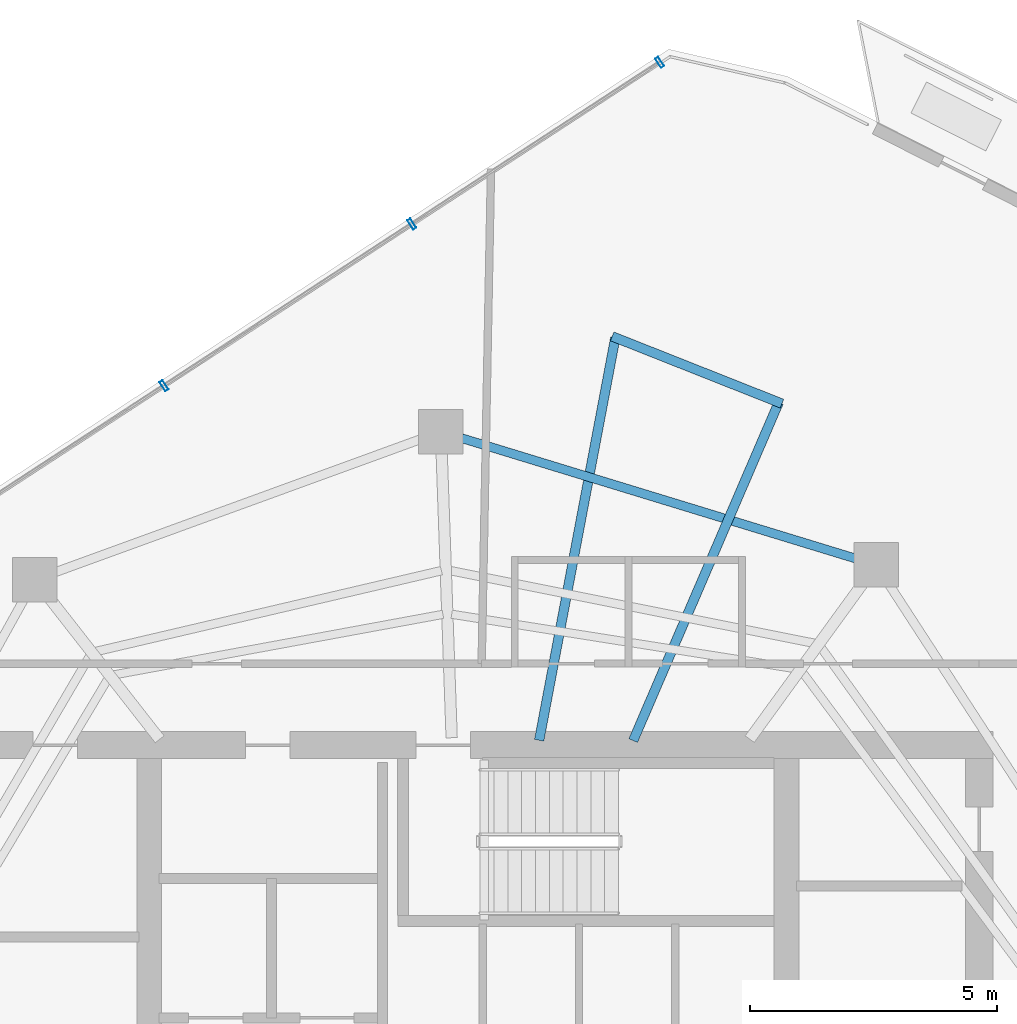
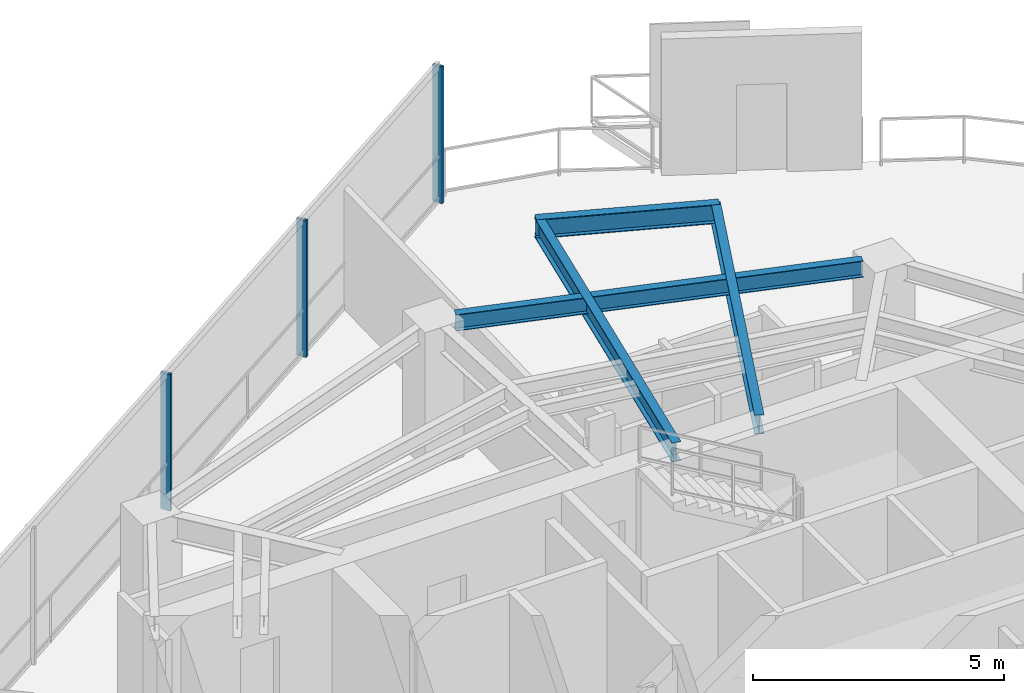
# One storey, part 12 of 18: 4 beams, 3 members, 1 element without a shape of its own.
"""IFC4 building model written with IfcOpenShell, lengths in metres."""

from ifc_helpers import new_model, si_unit, direction, frame, origin, origin_2d, place, context, subcontext, project, spatial, hollow_rectangle, i_section, extrude, material, layer, layer_set, material_profile, profile_set, type_object, element, aggregate, save


model = new_model("IFC4")

# Units and contexts
model_context = context("Model", 3, precision=1e-05, world=origin(), true_north=direction((0.0, 1.0)))
body_context = subcontext(model_context, "Body", "Model", "MODEL_VIEW")
ifc_project = project(units=[si_unit("LENGTHUNIT", "METRE"), si_unit("AREAUNIT", "SQUARE_METRE"), si_unit("VOLUMEUNIT", "CUBIC_METRE"), si_unit("PLANEANGLEUNIT", "RADIAN"), si_unit("MASSUNIT", "GRAM", prefix="KILO")], contexts=[model_context])

# Site, building, storey
site_placement = place(None, origin())
site = spatial("IfcSite", under=ifc_project, at=site_placement, CompositionType="ELEMENT")
building_placement = place(site_placement, origin())
building = spatial("IfcBuilding", under=site, at=building_placement, Name="Qarnah Convention Tower", CompositionType="ELEMENT")
storey_placement = place(building_placement, frame((0.0, 0.0, 191.39990234375)))
storey = spatial("IfcBuildingStorey", under=building, at=storey_placement, Name="L51", CompositionType="ELEMENT", Elevation=191.39990234375)

# Beams
ifc_material_1 = material(Name="Structural steel S355JR", Category="steel")
ifc_material_profile_1 = material_profile(ifc_material_1, i_section(OverallWidth=0.19189453125, OverallDepth=0.464111328125, WebThickness=0.010986328125, FlangeThickness=0.01806640625, at=origin_2d()), Name="W460X89")
ifc_profile_set_1 = profile_set([ifc_material_profile_1], Name="Structural steel S355JR")
beam_type_1 = type_object("IfcBeamType", Name="BM-CANT-W460A", PredefinedType="BEAM", material=ifc_profile_set_1)
beam_1_placement = place(storey_placement, frame((40.596923828125, 34.2919921875, 3.088134765625), z_axis=(0.395334358974, 0.91853728537, 0.0), x_axis=(-0.91853728537, 0.395334358974, 0.0)))
element("IfcBeam", 1, at=beam_1_placement, inside=storey, type_object=beam_type_1, Name="L51 beam BM-L51-CNT-01-1", PredefinedType="BEAM", context=body_context, shape_type="SweptSolid", body=[
    extrude(i_section(OverallWidth=0.19189453125, OverallDepth=0.464111328125, WebThickness=0.010986328125, FlangeThickness=0.01806640625, at=origin_2d()), origin(), (0.0, 0.0, 1.0), 7.4521484375),
])
beam_2_placement = place(storey_placement, frame((38.694091796875, 34.298095703125, 3.088134765625), z_axis=(0.185927001241, 0.982563560392, 0.0), x_axis=(-0.982563560392, 0.185927001241, 0.0)))
element("IfcBeam", 2, at=beam_2_placement, inside=storey, type_object=beam_type_1, Name="L51 beam BM-L51-CNT-01-2", PredefinedType="BEAM", context=body_context, shape_type="SweptSolid", body=[
    extrude(i_section(OverallWidth=0.19189453125, OverallDepth=0.464111328125, WebThickness=0.010986328125, FlangeThickness=0.01806640625, at=origin_2d()), origin(), (0.0, 0.0, 1.0), 8.29345703125),
])
beam_3_placement = place(storey_placement, frame((43.60791015625, 41.111083984375, 3.088134765625), z_axis=(-0.929683207284, 0.368360060394, 0.0), x_axis=(-0.368360060394, -0.929683207284, 0.0)))
element("IfcBeam", 3, at=beam_3_placement, inside=storey, type_object=beam_type_1, Name="L51 spandrel BM-L51-CTIE-01", PredefinedType="SPANDREL", context=body_context, shape_type="SweptSolid", body=[
    extrude(i_section(OverallWidth=0.19189453125, OverallDepth=0.464111328125, WebThickness=0.010986328125, FlangeThickness=0.01806640625, at=origin_2d()), origin(), (0.0, 0.0, 1.0), 3.697021484375),
])
ifc_material_profile_2 = material_profile(ifc_material_1, i_section(OverallWidth=0.179931640625, OverallDepth=0.39990234375, WebThickness=0.009033203125, FlangeThickness=0.013916015625, at=origin_2d()), Name="IPE400")
ifc_profile_set_2 = profile_set([ifc_material_profile_2], Name="Structural steel S355JR")
beam_type_2 = type_object("IfcBeamType", Name="BM-SPN-IPE400", PredefinedType="SPANDREL", material=ifc_profile_set_2)
beam_4_placement = place(storey_placement, frame((45.095947265625, 37.97705078125, 3.1201171875), z_axis=(-0.956348614223, 0.292228212318, 0.0), x_axis=(-0.292228212318, -0.956348614223, 0.0)))
element("IfcBeam", 4, at=beam_4_placement, inside=storey, type_object=beam_type_2, Name="L51 spandrel BM-L51-SPN-02", PredefinedType="SPANDREL", context=body_context, shape_type="SweptSolid", body=[
    extrude(i_section(OverallWidth=0.179931640625, OverallDepth=0.39990234375, WebThickness=0.009033203125, FlangeThickness=0.013916015625, at=origin_2d()), origin(), (0.0, 0.0, 1.0), 8.332763671875),
])

# Curtain wall, members
ifc_material_2 = material(Name="Tempered Low-E dark glass", Category="glass")
ifc_layer = layer(ifc_material_2, 0.174072265625)
ifc_layer_set = layer_set([ifc_layer], Name="Tempered Low-E dark glass")
curtain_wall_type = type_object("IfcCurtainWallType", Name="CWS-04", PredefinedType="NOTDEFINED", material=ifc_layer_set)
curtain_wall_placement = place(storey_placement, origin())
curtain_wall = element("IfcCurtainWall", 5, at=curtain_wall_placement, inside=storey, type_object=curtain_wall_type, Name="L51 unitised curtain wall CW-L51-F1", PredefinedType="NOTDEFINED")
ifc_material_3 = material(Name="Black anodised aluminium", Category="aluminium")
ifc_material_profile_3 = material_profile(ifc_material_3, hollow_rectangle(XDim=0.074951171875, YDim=0.219970703125, WallThickness=0.0048828125, at=origin_2d()), Name="MUL-75X220")
ifc_profile_set_3 = profile_set([ifc_material_profile_3], Name="Black anodised aluminium")
member_type = type_object("IfcMemberType", Name="MUL-T4", PredefinedType="MULLION", material=ifc_profile_set_3)
member_1_placement = place(storey_placement, frame((31.10107421875, 41.473876953125, 0.0), z_axis=(0.0, 0.0, 1.0), x_axis=(0.837511598943, 0.546419547267, 0.0)))
member_1 = element("IfcMember", 6, at=member_1_placement, type_object=member_type, Name="CW-L51-F1 mullion 4", PredefinedType="MULLION", context=body_context, shape_type="SweptSolid", body=[
    extrude(hollow_rectangle(XDim=0.074951171875, YDim=0.219970703125, WallThickness=0.0048828125, at=origin_2d()), origin(), (0.0, 0.0, 1.0), 3.320068359375),
])
member_2_placement = place(storey_placement, frame((36.116943359375, 44.746337890625, 0.0), z_axis=(0.0, 0.0, 1.0), x_axis=(0.837511598943, 0.546419547267, 0.0)))
member_2 = element("IfcMember", 7, at=member_2_placement, type_object=member_type, Name="CW-L51-F1 mullion 5", PredefinedType="MULLION", context=body_context, shape_type="SweptSolid", body=[
    extrude(hollow_rectangle(XDim=0.074951171875, YDim=0.219970703125, WallThickness=0.0048828125, at=origin_2d()), origin(), (0.0, 0.0, 1.0), 3.320068359375),
])
member_3_placement = place(storey_placement, frame((41.133056640625, 48.01904296875, 0.0), z_axis=(0.0, 0.0, 1.0), x_axis=(0.837511598943, 0.546419547267, 0.0)))
member_3 = element("IfcMember", 8, at=member_3_placement, type_object=member_type, Name="CW-L51-F1 mullion 6", PredefinedType="MULLION", context=body_context, shape_type="SweptSolid", body=[
    extrude(hollow_rectangle(XDim=0.074951171875, YDim=0.219970703125, WallThickness=0.0048828125, at=origin_2d()), origin(), (0.0, 0.0, 1.0), 3.320068359375),
])
aggregate(curtain_wall, [member_1, member_2, member_3])

save(model, "model.ifc")
